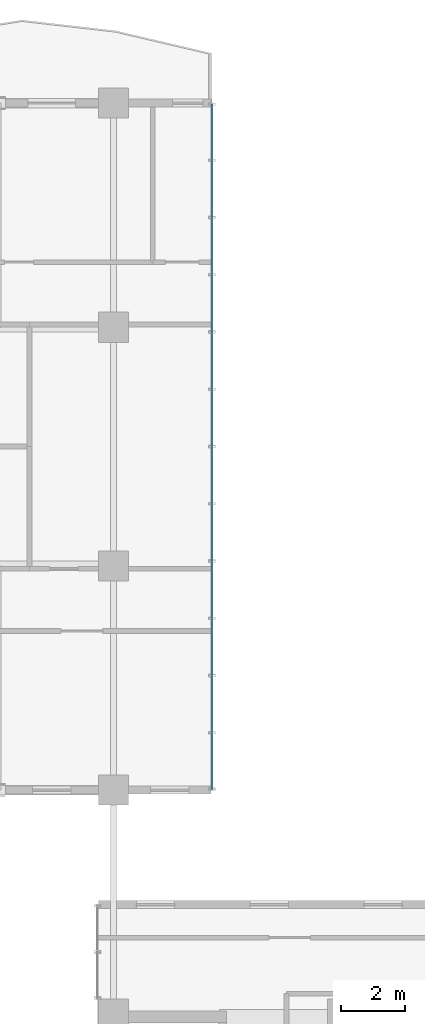
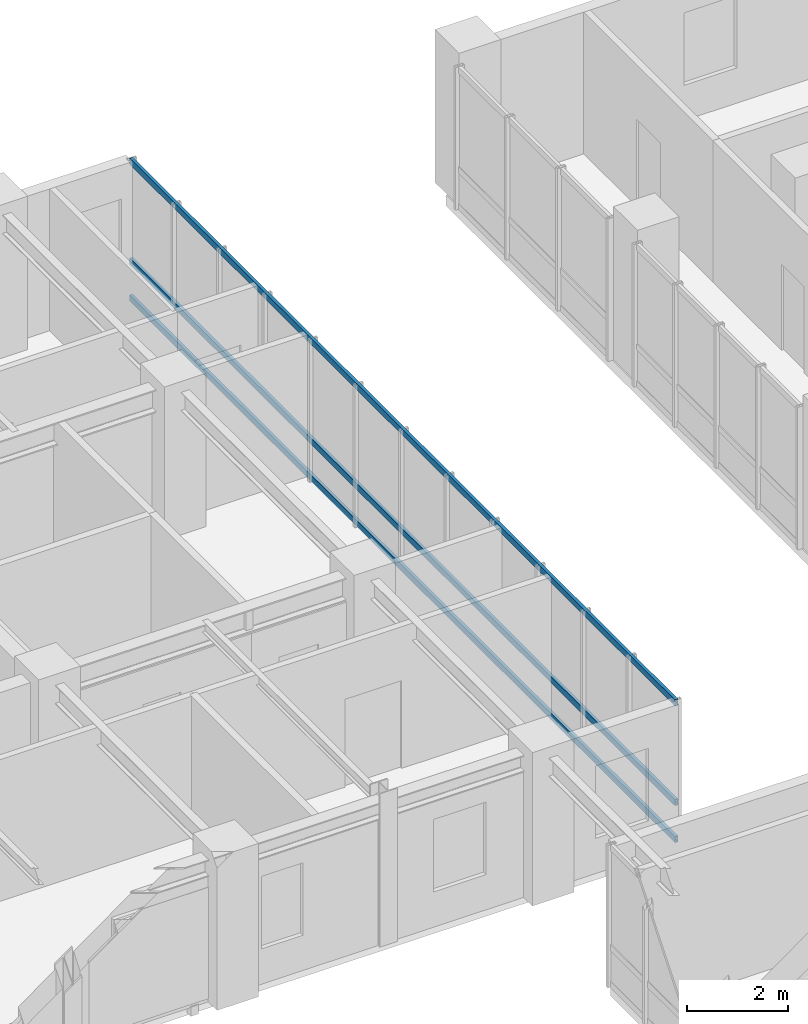
# One storey, part 11 of 24: 3 members, 1 element without a shape of its own.
"""IFC4 building model written with IfcOpenShell, lengths in metres."""

from ifc_helpers import new_model, si_unit, direction, frame, origin, origin_2d, place, context, subcontext, project, spatial, hollow_rectangle, extrude, source, transform, mapped, material, layer, layer_set, material_profile, profile_set, type_object, element, aggregate, save


model = new_model("IFC4")

# Units and contexts
model_context = context("Model", 3, precision=1e-05, world=origin(), true_north=direction((0.0, 1.0)))
body_context = subcontext(model_context, "Body", "Model", "MODEL_VIEW")
ifc_project = project(units=[si_unit("LENGTHUNIT", "METRE"), si_unit("AREAUNIT", "SQUARE_METRE"), si_unit("VOLUMEUNIT", "CUBIC_METRE"), si_unit("PLANEANGLEUNIT", "RADIAN"), si_unit("MASSUNIT", "GRAM", prefix="KILO")], contexts=[model_context])

# Site, building, storey
site_placement = place(None, origin())
site = spatial("IfcSite", under=ifc_project, at=site_placement, CompositionType="ELEMENT")
building_placement = place(site_placement, origin())
building = spatial("IfcBuilding", under=site, at=building_placement, Name="Kaliganga Portal Commons", CompositionType="ELEMENT")
storey_placement = place(building_placement, frame((0.0, 0.0, 235.10009765625)))
storey = spatial("IfcBuildingStorey", under=building, at=storey_placement, Name="L60", CompositionType="ELEMENT", Elevation=235.10009765625)

# Curtain wall, members
ifc_material_1 = material(Name="Anodized Aluminium and Laminated Low-E Glass", Category="aluminium")
ifc_layer = layer(ifc_material_1, 0.239990234375)
ifc_layer_set = layer_set([ifc_layer], Name="Anodized Aluminium and Laminated Low-E Glass")
curtain_wall_type = type_object("IfcCurtainWallType", Name="CW-SYS-04", PredefinedType="NOTDEFINED", material=ifc_layer_set)
curtain_wall_placement = place(storey_placement, origin())
curtain_wall = element("IfcCurtainWall", 1, at=curtain_wall_placement, inside=storey, type_object=curtain_wall_type, Name="CW 04 L60 P1E01S1", PredefinedType="NOTDEFINED")
ifc_material_2 = material(Name="Dark Bronze Anodized Aluminium", Category="aluminium")
ifc_material_profile = material_profile(ifc_material_2, hollow_rectangle(XDim=0.070068359375, YDim=0.14990234375, WallThickness=0.00341796875, at=origin_2d()), Name="ALU TRAN 70x150x3.5")
ifc_profile_set = profile_set([ifc_material_profile], Name="Dark Bronze Anodized Aluminium")
member_type = type_object("IfcMemberType", Name="CW-TRN-150", PredefinedType="USERDEFINED", material=ifc_profile_set)
shared_shape = source(origin(), body_context, "Body", "SweptSolid", [
    extrude(hollow_rectangle(XDim=0.070068359375, YDim=0.14990234375, WallThickness=0.00341796875, at=origin_2d()), origin(), (0.0, 0.0, 1.0), 21.559814453125),
])
member_1_placement = place(storey_placement, frame((39.10009765625, 21.6201171875, 0.059814453125), z_axis=(0.0, 1.0, 0.0), x_axis=(-1.0, 0.0, 0.0)))
member_1 = element("IfcMember", 2, at=member_1_placement, type_object=member_type, Name="CW:04:L60:P1E01S1 Transom 1", ObjectType="TRANSOM", PredefinedType="USERDEFINED", context=body_context, shape_type="MappedRepresentation", body=[
    mapped(shared_shape, transform((0.0, 0.0, 0.0), x_axis=(1.0, 0.0, 0.0), y_axis=(0.0, 1.0, 0.0), z_axis=(0.0, 0.0, 1.0), scale=1.0)),
])
member_2_placement = place(storey_placement, frame((39.10009765625, 21.6201171875, 0.949951171875), z_axis=(0.0, 1.0, 0.0), x_axis=(-1.0, 0.0, 0.0)))
member_2 = element("IfcMember", 3, at=member_2_placement, type_object=member_type, Name="CW:04:L60:P1E01S1 Transom 2", ObjectType="TRANSOM", PredefinedType="USERDEFINED", context=body_context, shape_type="MappedRepresentation", body=[
    mapped(shared_shape, transform((0.0, 0.0, 0.0), x_axis=(1.0, 0.0, 0.0), y_axis=(0.0, 1.0, 0.0), z_axis=(0.0, 0.0, 1.0), scale=1.0)),
])
member_3_placement = place(storey_placement, frame((39.10009765625, 21.6201171875, 3.35986328125), z_axis=(0.0, 1.0, 0.0), x_axis=(-1.0, 0.0, 0.0)))
member_3 = element("IfcMember", 4, at=member_3_placement, type_object=member_type, Name="CW:04:L60:P1E01S1 Transom 3", ObjectType="TRANSOM", PredefinedType="USERDEFINED", context=body_context, shape_type="MappedRepresentation", body=[
    mapped(shared_shape, transform((0.0, 0.0, 0.0), x_axis=(1.0, 0.0, 0.0), y_axis=(0.0, 1.0, 0.0), z_axis=(0.0, 0.0, 1.0), scale=1.0)),
])
aggregate(curtain_wall, [member_1, member_2, member_3])

save(model, "model.ifc")
